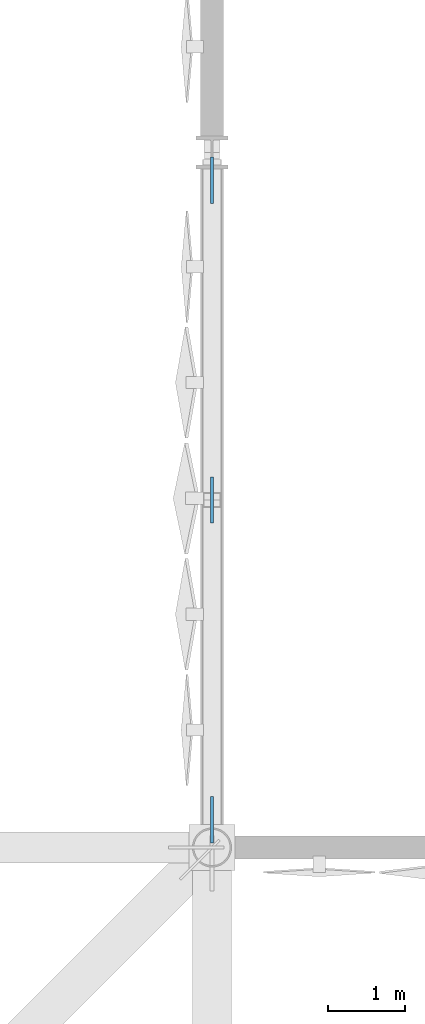
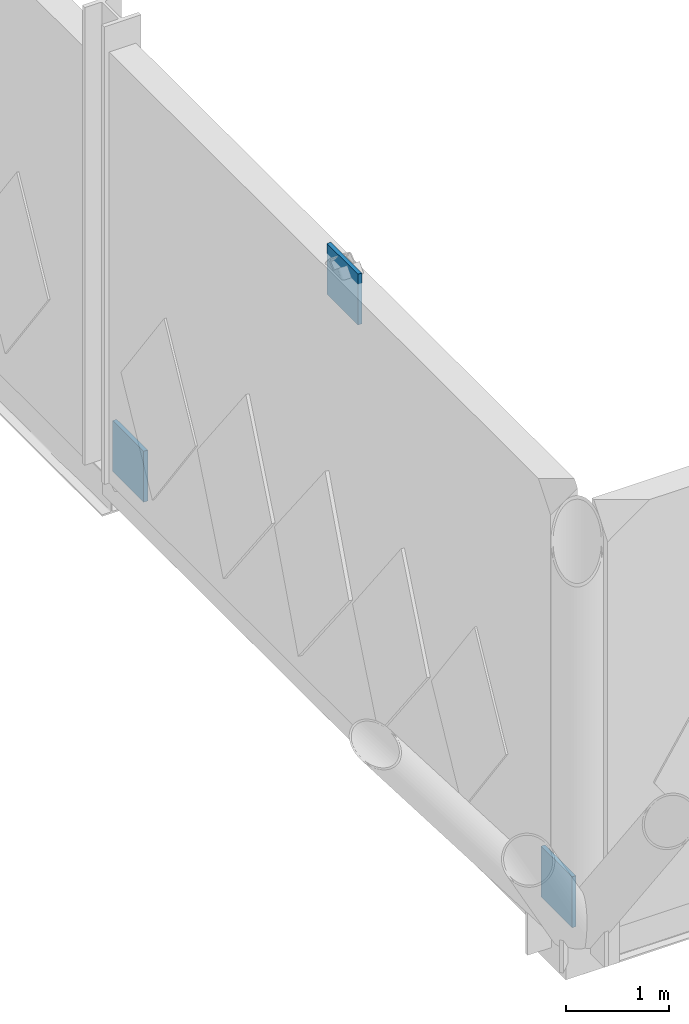
# One storey, part 82 of 119: 3 plates.
"""IFC4 building model written with IfcOpenShell, lengths in metres."""

from ifc_helpers import new_model, si_unit, direction, frame, origin, origin_2d, place, context, subcontext, project, spatial, rectangle, extrude, material, layer, layer_set, type_object, element, save


model = new_model("IFC4")

# Units and contexts
model_context = context("Model", 3, precision=1e-05, world=origin(), true_north=direction((0.0, 1.0)))
body_context = subcontext(model_context, "Body", "Model", "MODEL_VIEW")
ifc_project = project(units=[si_unit("LENGTHUNIT", "METRE"), si_unit("AREAUNIT", "SQUARE_METRE"), si_unit("VOLUMEUNIT", "CUBIC_METRE"), si_unit("PLANEANGLEUNIT", "RADIAN"), si_unit("MASSUNIT", "GRAM", prefix="KILO")], contexts=[model_context])

# Site, building, storey
site_placement = place(None, origin())
site = spatial("IfcSite", under=ifc_project, at=site_placement, CompositionType="ELEMENT")
building_placement = place(site_placement, origin())
building = spatial("IfcBuilding", under=site, at=building_placement, Name="Qamarlyn Nura Convention Centre", CompositionType="ELEMENT")
storey_placement = place(building_placement, frame((0.0, 0.0, 5.39990234375)))
storey = spatial("IfcBuildingStorey", under=building, at=storey_placement, Name="L01", CompositionType="ELEMENT", Elevation=5.39990234375)

# Plates
ifc_material = material(Name="Structural steel ASTM A572 Grade 50", Category="steel")
ifc_layer = layer(ifc_material, 0.044921875, Name="GP-TN1")
ifc_layer_set = layer_set([ifc_layer], Name="Structural steel ASTM A572 Grade 50")
plate_type = type_object("IfcPlateType", Name="GP-TN1", PredefinedType="USERDEFINED", material=ifc_layer_set)
for number, where, z_axis, x_axis, name in (
    (1, (0.0, 18.360107421875, 0.0), (0.0, 0.0, 1.0), (0.0, 1.0, 0.0), "SCBF chevron brace gusset plate CBF-W1-L01-A"),
    (2, (0.0, 26.639892578125, 0.0), (0.0, 0.0, 1.0), (0.0, 1.0, 0.0), "SCBF chevron brace gusset plate CBF-W1-L01-B"),
    (3, (0.0, 22.5, 4.60009765625), (0.0, 0.0, 1.0), (0.0, 1.0, 0.0), "SCBF chevron brace gusset plate CBF-W1-L01-M"),
):
    element("IfcPlate", number, at=place(storey_placement, frame(where, z_axis=z_axis, x_axis=x_axis)), inside=storey, type_object=plate_type, Name=name, ObjectType="GUSSET PLATE", PredefinedType="USERDEFINED", context=body_context, shape_type="SweptSolid", body=[
        extrude(rectangle(XDim=0.60009765625, YDim=0.044921875, at=origin_2d()), origin(), (0.0, 0.0, 1.0), 0.60009765625),
    ])

save(model, "model.ifc")
